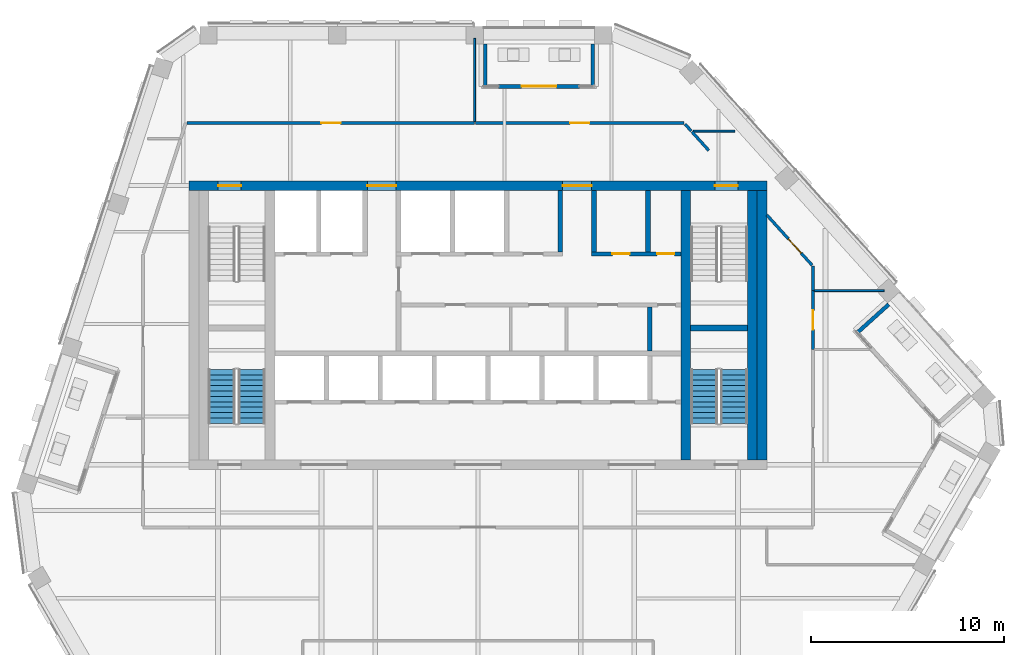
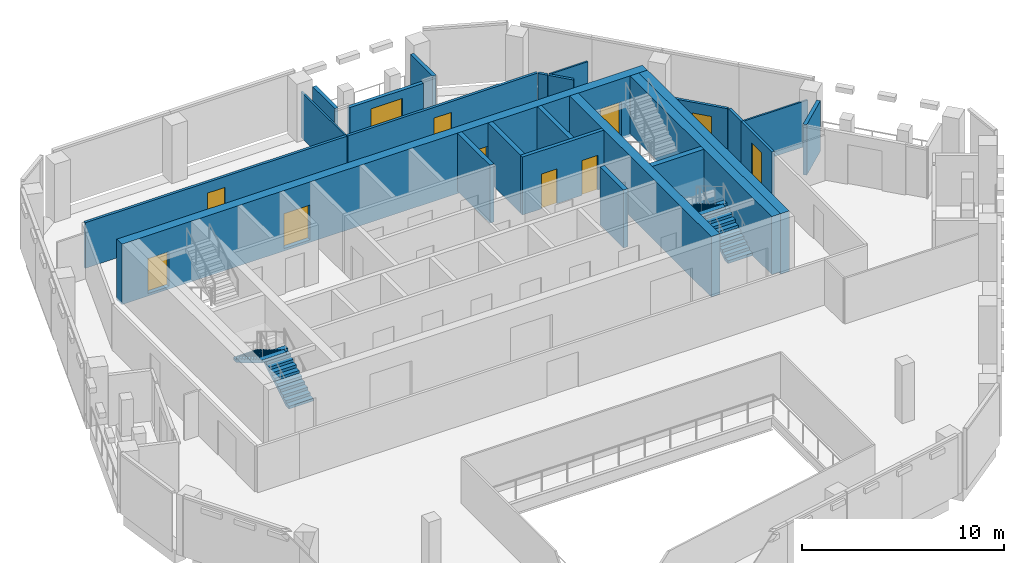
# One storey, part 15 of 22: 24 walls, 11 doors, 4 stair flights, 11 openings, 2 elements without a shape of their own.
"""IFC4 building model written with IfcOpenShell, lengths in metres."""

from ifc_helpers import new_model, si_unit, direction, frame, frame_2d, origin, place, context, subcontext, project, spatial, polyline, rectangle, outline, extrude, material, layer, layer_set, type_object, element, fill, aggregate, save


model = new_model("IFC4")

# Units and contexts
model_context = context("Model", 3, precision=1e-05, world=origin(), true_north=direction((0.0, 1.0)))
body_context = subcontext(model_context, "Body", "Model", "MODEL_VIEW")
ifc_project = project(units=[si_unit("LENGTHUNIT", "METRE"), si_unit("AREAUNIT", "SQUARE_METRE"), si_unit("VOLUMEUNIT", "CUBIC_METRE"), si_unit("PLANEANGLEUNIT", "RADIAN"), si_unit("MASSUNIT", "GRAM", prefix="KILO")], contexts=[model_context])

# Site, building, storey
site_placement = place(None, origin())
site = spatial("IfcSite", under=ifc_project, at=site_placement, CompositionType="ELEMENT")
building_placement = place(site_placement, origin())
building = spatial("IfcBuilding", under=site, at=building_placement, Name="Isthmus Gate Tower", CompositionType="ELEMENT")
storey_placement = place(building_placement, frame((0.0, 0.0, 264.60009765625)))
storey = spatial("IfcBuildingStorey", under=building, at=storey_placement, Name="L67", CompositionType="ELEMENT", Elevation=264.60009765625)

# Wall
ifc_material_1 = material(Name="Gypsum board on steel studs, fire-rated", Category="steel")
ifc_layer_1 = layer(ifc_material_1, 0.14990234375)
ifc_layer_set_1 = layer_set([ifc_layer_1], Name="CORRIDOR WALL 150 60 MIN")
wall_type_1 = type_object("IfcWallType", Name="CORRIDOR WALL 150 60 MIN", PredefinedType="PARTITIONING", material=ifc_layer_set_1)
wall_1_placement = place(storey_placement, frame((17.39990234375, 10.56103515625, 0.0), z_axis=(0.0, 0.0, 1.0), x_axis=(0.0, -1.0, 0.0)))
element("IfcWall", 1, at=wall_1_placement, inside=storey, type_object=wall_type_1, Name="L67 Corridor Wall 150 60 Min", PredefinedType="PARTITIONING", context=body_context, shape_type="SweptSolid", body=[
    extrude(rectangle(XDim=1.27099609375, YDim=0.14990234375, at=frame_2d((0.635498046875, 0.0))), origin(), (0.0, 0.0, 1.0), 2.75048828125),
])

# Wall, opening, door
wall_2_placement = place(storey_placement, frame((17.39990234375, 9.2900390625, 0.0), z_axis=(0.0, 0.0, 1.0), x_axis=(0.0, -1.0, 0.0)))
wall_2 = element("IfcWall", 2, at=wall_2_placement, inside=storey, type_object=wall_type_1, Name="L67 Corridor Wall 150 60 Min", PredefinedType="PARTITIONING", context=body_context, shape_type="SweptSolid", body=[
    extrude(rectangle(XDim=3.052978515625, YDim=0.14990234375, at=frame_2d((1.5263671875, 0.0))), origin(), (0.0, 0.0, 1.0), 2.75048828125),
])
opening_1_placement = place(wall_2_placement, frame((1.026611328125, 0.0, 0.0)))
opening_1 = element("IfcOpeningElement", 3, at=opening_1_placement, cuts=wall_2, Name="Opening DT-T6A-05", PredefinedType="OPENING", context=body_context, shape_type="SweptSolid", body=[
    extrude(rectangle(XDim=1.0, YDim=2.10009765625, at=frame_2d((0.5, 1.050048828125))), frame((0.0, 0.0849609375, 0.0), z_axis=(0.0, -1.0, 0.0), x_axis=(1.0, 0.0, 0.0)), (0.0, 0.0, 1.0), 0.169921875),
])
ifc_material_2 = material(Name="Solid core timber door leaf, fire-rated", Category="wood")
door_type_1 = type_object("IfcDoorType", Name="FIRE DOOR ROOM 1000 X 2100 60 MIN", OperationType="SINGLE_SWING_LEFT", PredefinedType="DOOR", material=ifc_material_2)
door_1_placement = place(opening_1_placement, origin())
door_1 = element("IfcDoor", 4, at=door_1_placement, inside=storey, type_object=door_type_1, Name="L67 room door", OperationType="SINGLE_SWING_RIGHT", OverallHeight=2.10009765625, OverallWidth=1.0, PredefinedType="DOOR", context=body_context, shape_type="SweptSolid", body=[
    extrude(rectangle(XDim=1.0, YDim=2.10009765625, at=frame_2d((0.5, 1.050048828125))), frame((0.0, 0.02490234375, 0.0), z_axis=(0.0, -1.0, 0.0), x_axis=(1.0, 0.0, 0.0)), (0.0, 0.0, 1.0), 0.050048828125),
])
fill(opening_1, door_1)

wall_3_placement = place(storey_placement, frame((-15.10302734375, 18.0, 0.0), z_axis=(0.0, 0.0, 1.0), x_axis=(1.0, 0.0, 0.0)))
wall_3 = element("IfcWall", 5, at=wall_3_placement, inside=storey, type_object=wall_type_1, Name="L67 Corridor Wall 150 60 Min", PredefinedType="PARTITIONING", context=body_context, shape_type="SweptSolid", body=[
    extrude(rectangle(XDim=14.927978515625, YDim=0.14990234375, at=frame_2d((7.4638671875, 0.0))), origin(), (0.0, 0.0, 1.0), 2.75048828125),
])
opening_2_placement = place(wall_3_placement, frame((6.964111328125, 0.0, 0.0)))
opening_2 = element("IfcOpeningElement", 6, at=opening_2_placement, cuts=wall_3, Name="Opening DT-T6A-01", PredefinedType="OPENING", context=body_context, shape_type="SweptSolid", body=[
    extrude(rectangle(XDim=1.0, YDim=2.10009765625, at=frame_2d((0.5, 1.050048828125))), frame((0.0, 0.0849609375, 0.0), z_axis=(0.0, -1.0, 0.0), x_axis=(1.0, 0.0, 0.0)), (0.0, 0.0, 1.0), 0.169921875),
])
door_2_placement = place(opening_2_placement, origin())
door_2 = element("IfcDoor", 7, at=door_2_placement, inside=storey, type_object=door_type_1, Name="L67 room door", OperationType="SINGLE_SWING_RIGHT", OverallHeight=2.10009765625, OverallWidth=1.0, PredefinedType="DOOR", context=body_context, shape_type="SweptSolid", body=[
    extrude(rectangle(XDim=1.0, YDim=2.10009765625, at=frame_2d((0.5, 1.050048828125))), frame((0.0, 0.02490234375, 0.0), z_axis=(0.0, -1.0, 0.0), x_axis=(1.0, 0.0, 0.0)), (0.0, 0.0, 1.0), 0.050048828125),
])
fill(opening_2, door_2)

wall_4_placement = place(storey_placement, frame((-0.125, 18.0, 0.0), z_axis=(0.0, 0.0, 1.0), x_axis=(1.0, 0.0, 0.0)))
wall_4 = element("IfcWall", 8, at=wall_4_placement, inside=storey, type_object=wall_type_1, Name="L67 Corridor Wall 150 60 Min", PredefinedType="PARTITIONING", context=body_context, shape_type="SweptSolid", body=[
    extrude(rectangle(XDim=10.826904296875, YDim=0.14990234375, at=frame_2d((5.41357421875, 0.0))), origin(), (0.0, 0.0, 1.0), 2.75048828125),
])
opening_3_placement = place(wall_4_placement, frame((4.91357421875, 0.0, 0.0)))
opening_3 = element("IfcOpeningElement", 9, at=opening_3_placement, cuts=wall_4, Name="Opening DT-T6A-02", PredefinedType="OPENING", context=body_context, shape_type="SweptSolid", body=[
    extrude(rectangle(XDim=1.0, YDim=2.10009765625, at=frame_2d((0.5, 1.050048828125))), frame((0.0, 0.0849609375, 0.0), z_axis=(0.0, -1.0, 0.0), x_axis=(1.0, 0.0, 0.0)), (0.0, 0.0, 1.0), 0.169921875),
])
door_3_placement = place(opening_3_placement, origin())
door_3 = element("IfcDoor", 10, at=door_3_placement, inside=storey, type_object=door_type_1, Name="L67 room door", OperationType="SINGLE_SWING_RIGHT", OverallHeight=2.10009765625, OverallWidth=1.0, PredefinedType="DOOR", context=body_context, shape_type="SweptSolid", body=[
    extrude(rectangle(XDim=1.0, YDim=2.10009765625, at=frame_2d((0.5, 1.050048828125))), frame((0.0, 0.02490234375, 0.0), z_axis=(0.0, -1.0, 0.0), x_axis=(1.0, 0.0, 0.0)), (0.0, 0.0, 1.0), 0.050048828125),
])
fill(opening_3, door_3)

# Walls
wall_5_placement = place(storey_placement, frame((10.752197265625, 17.9443359375, 0.0), z_axis=(0.0, 0.0, 1.0), x_axis=(0.669019774343, -0.74324460411, 0.0)))
element("IfcWall", 11, at=wall_5_placement, inside=storey, type_object=wall_type_1, Name="L67 Corridor Wall 150 60 Min", PredefinedType="PARTITIONING", context=body_context, shape_type="SweptSolid", body=[
    extrude(rectangle(XDim=0.489990234375, YDim=0.14990234375, at=frame_2d((0.2451171875, 0.0))), origin(), (0.0, 0.0, 1.0), 2.75048828125),
])
wall_6_placement = place(storey_placement, frame((11.113525390625, 17.542724609375, 0.0), z_axis=(0.0, 0.0, 1.0), x_axis=(0.669172057426, -0.743107500675, 0.0)))
element("IfcWall", 12, at=wall_6_placement, inside=storey, type_object=wall_type_1, Name="L67 Corridor Wall 150 60 Min", PredefinedType="PARTITIONING", context=body_context, shape_type="SweptSolid", body=[
    extrude(rectangle(XDim=1.301025390625, YDim=0.14990234375, at=frame_2d((0.650390625, 0.0))), origin(), (0.0, 0.0, 1.0), 2.75048828125),
])

# Wall, opening, door
wall_7_placement = place(storey_placement, frame((15.0, 13.22607421875, 0.0), z_axis=(0.0, 0.0, 1.0), x_axis=(0.669187491984, -0.743093601488, 0.0)))
wall_7 = element("IfcWall", 13, at=wall_7_placement, inside=storey, type_object=wall_type_1, Name="L67 Corridor Wall 150 60 Min", PredefinedType="PARTITIONING", context=body_context, shape_type="SweptSolid", body=[
    extrude(rectangle(XDim=3.511474609375, YDim=0.14990234375, at=frame_2d((1.755859375, 0.0))), origin(), (0.0, 0.0, 1.0), 2.75048828125),
])
opening_4_placement = place(wall_7_placement, frame((1.677001953125, 0.0, 0.0)))
opening_4 = element("IfcOpeningElement", 14, at=opening_4_placement, cuts=wall_7, Name="Opening DT-T6A-03", PredefinedType="OPENING", context=body_context, shape_type="SweptSolid", body=[
    extrude(rectangle(XDim=1.0, YDim=2.10009765625, at=frame_2d((0.5, 1.050048828125))), frame((0.0, 0.0849609375, 0.0), z_axis=(0.0, -1.0, 0.0), x_axis=(1.0, 0.0, 0.0)), (0.0, 0.0, 1.0), 0.169921875),
])
door_4_placement = place(opening_4_placement, origin())
door_4 = element("IfcDoor", 15, at=door_4_placement, inside=storey, type_object=door_type_1, Name="L67 room door", OperationType="SINGLE_SWING_RIGHT", OverallHeight=2.10009765625, OverallWidth=1.0, PredefinedType="DOOR", context=body_context, shape_type="SweptSolid", body=[
    extrude(rectangle(XDim=1.0, YDim=2.10009765625, at=frame_2d((0.5, 1.050048828125))), frame((0.0, 0.02490234375, 0.0), z_axis=(0.0, -1.0, 0.0), x_axis=(1.0, 0.0, 0.0)), (0.0, 0.0, 1.0), 0.050048828125),
])
fill(opening_4, door_4)

ifc_material_3 = material(Name="Precast concrete C40/50", Category="concrete")
ifc_layer_2 = layer(ifc_material_3, 0.199951171875)
ifc_layer_set_2 = layer_set([ifc_layer_2], Name="LOGGIA WALL 200")
wall_type_2 = type_object("IfcWallType", Name="LOGGIA WALL 200", PredefinedType="SOLIDWALL", material=ifc_layer_set_2)
wall_8_placement = place(storey_placement, frame((5.26708984375, 19.89990234375, 0.0), z_axis=(0.0, 0.0, 1.0), x_axis=(-1.0, 0.0, 0.0)))
wall_8 = element("IfcWall", 16, at=wall_8_placement, inside=storey, type_object=wall_type_2, Name="LOGGIA BACK WALL", PredefinedType="SOLIDWALL", context=body_context, shape_type="SweptSolid", body=[
    extrude(rectangle(XDim=4.199951171875, YDim=0.199951171875, at=frame_2d((2.10009765625, 0.0))), origin(), (0.0, 0.0, 1.0), 2.89990234375),
])
opening_5_placement = place(wall_8_placement, frame((1.199951171875, 0.0, 0.0)))
opening_5 = element("IfcOpeningElement", 17, at=opening_5_placement, cuts=wall_8, Name="Opening DE67-01", PredefinedType="OPENING", context=body_context, shape_type="SweptSolid", body=[
    extrude(rectangle(XDim=1.800048828125, YDim=2.39990234375, at=frame_2d((0.89990234375, 1.199951171875))), frame((0.0, 0.10986328125, 0.0), z_axis=(0.0, -1.0, 0.0), x_axis=(1.0, 0.0, 0.0)), (0.0, 0.0, 1.0), 0.219970703125),
])
ifc_material_4 = material(Name="Aluminium, pale champagne anodised, laminated glass", Category="aluminium")
door_type_2 = type_object("IfcDoorType", Name="LOGGIA DOOR SLIDING 1800 X 2400", OperationType="DOUBLE_DOOR_SLIDING", PredefinedType="DOOR", material=ifc_material_4)
door_5_placement = place(opening_5_placement, origin())
door_5 = element("IfcDoor", 18, at=door_5_placement, inside=storey, type_object=door_type_2, Name="DOOR DE67-01", OperationType="SINGLE_SWING_LEFT", OverallHeight=2.39990234375, OverallWidth=1.800048828125, PredefinedType="DOOR", context=body_context, shape_type="SweptSolid", body=[
    extrude(rectangle(XDim=1.800048828125, YDim=2.39990234375, at=frame_2d((0.89990234375, 1.199951171875))), frame((0.0, 0.02490234375, 0.0), z_axis=(0.0, -1.0, 0.0), x_axis=(1.0, 0.0, 0.0)), (0.0, 0.0, 1.0), 0.050048828125),
])
fill(opening_5, door_5)

# Walls
for number, where, z_axis, x_axis, name in (
    (19, (5.95947265625, 22.10009765625, 0.0), (0.0, 0.0, 1.0), (0.0, -1.0, 0.0), "LOGGIA SIDE WALL"),
    (20, (0.375, 22.10009765625, 0.0), (0.0, 0.0, 1.0), (0.0, -1.0, 0.0), "LOGGIA SIDE WALL"),
    (21, (21.33642578125, 8.580322265625, 0.0), (0.0, 0.0, 1.0), (-0.743138493482, -0.669137638686, 0.0), "LOGGIA SIDE WALL"),
):
    element("IfcWall", number, at=place(storey_placement, frame(where, z_axis=z_axis, x_axis=x_axis)), inside=storey, type_object=wall_type_2, Name=name, PredefinedType="SOLIDWALL", context=body_context, shape_type="SweptSolid", body=[
        extrude(rectangle(XDim=2.18408203125, YDim=0.199951171875, at=frame_2d((1.092041015625, 0.0))), origin(), (0.0, 0.0, 1.0), 3.0498046875),
    ])
ifc_material_5 = material(Name="Concrete f'c 50 MPa", Category="concrete")
ifc_layer_3 = layer(ifc_material_5, 0.5)
ifc_layer_set_3 = layer_set([ifc_layer_3], Name="RC CORE SPINE WALL 500 F'C 50")
wall_type_3 = type_object("IfcWallType", Name="RC CORE SPINE WALL 500 F'C 50", PredefinedType="SOLIDWALL", material=ifc_layer_set_3)
wall_9_placement = place(storey_placement, frame((10.800048828125, 0.5, -0.150146484375), z_axis=(0.0, 0.0, 1.0), x_axis=(0.0, 1.0, 0.0)))
element("IfcWall", 22, at=wall_9_placement, inside=storey, type_object=wall_type_3, Name="str-corewall-L67-SPE", PredefinedType="SOLIDWALL", context=body_context, shape_type="SweptSolid", body=[
    extrude(rectangle(XDim=14.0, YDim=0.5, at=frame_2d((7.0, 0.0))), origin(), (0.0, 0.0, 1.0), 3.650146484375),
])

# Wall, openings, doors
ifc_material_6 = material(Name="Concrete f'c 50 MPa", Category="concrete")
ifc_layer_4 = layer(ifc_material_6, 0.5)
ifc_layer_set_4 = layer_set([ifc_layer_4], Name="RC CORE WALL 500 F'C 50")
wall_type_4 = type_object("IfcWallType", Name="RC CORE WALL 500 F'C 50", PredefinedType="SOLIDWALL", material=ifc_layer_set_4)
wall_10_placement = place(storey_placement, frame((-15.0, 14.75, -0.150146484375), z_axis=(0.0, 0.0, 1.0), x_axis=(1.0, 0.0, 0.0)))
wall_10 = element("IfcWall", 23, at=wall_10_placement, inside=storey, type_object=wall_type_4, Name="str-corewall-L67-N", PredefinedType="SOLIDWALL", context=body_context, shape_type="SweptSolid", body=[
    extrude(rectangle(XDim=30.0, YDim=0.5, at=frame_2d((15.0, 0.0))), origin(), (0.0, 0.0, 1.0), 3.650146484375),
])
opening_6_placement = place(wall_10_placement, frame((9.25, 0.0, 0.14990234375)))
opening_6 = element("IfcOpeningElement", 24, at=opening_6_placement, cuts=wall_10, Name="Opening DC-A17-13", PredefinedType="OPENING", context=body_context, shape_type="SweptSolid", body=[
    extrude(rectangle(XDim=1.5, YDim=2.10009765625, at=frame_2d((0.75, 1.050048828125))), frame((0.0, 0.260009765625, 0.0), z_axis=(0.0, -1.0, 0.0), x_axis=(1.0, 0.0, 0.0)), (0.0, 0.0, 1.0), 0.52001953125),
])
opening_7_placement = place(wall_10_placement, frame((19.39990234375, 0.0, 0.14990234375)))
opening_7 = element("IfcOpeningElement", 25, at=opening_7_placement, cuts=wall_10, Name="Opening DC-A17-14", PredefinedType="OPENING", context=body_context, shape_type="SweptSolid", body=[
    extrude(rectangle(XDim=1.5, YDim=2.10009765625, at=frame_2d((0.75, 1.050048828125))), frame((0.0, 0.260009765625, 0.0), z_axis=(0.0, -1.0, 0.0), x_axis=(1.0, 0.0, 0.0)), (0.0, 0.0, 1.0), 0.52001953125),
])
opening_8_placement = place(wall_10_placement, frame((1.5, 0.0, 0.14990234375)))
opening_8 = element("IfcOpeningElement", 26, at=opening_8_placement, cuts=wall_10, Name="Opening DC-A17-15", PredefinedType="OPENING", context=body_context, shape_type="SweptSolid", body=[
    extrude(rectangle(XDim=1.199951171875, YDim=2.10009765625, at=frame_2d((0.60009765625, 1.050048828125))), frame((0.0, 0.260009765625, 0.0), z_axis=(0.0, -1.0, 0.0), x_axis=(1.0, 0.0, 0.0)), (0.0, 0.0, 1.0), 0.52001953125),
])
opening_9_placement = place(wall_10_placement, frame((27.300048828125, 0.0, 0.14990234375)))
opening_9 = element("IfcOpeningElement", 27, at=opening_9_placement, cuts=wall_10, Name="Opening DC-A17-16", PredefinedType="OPENING", context=body_context, shape_type="SweptSolid", body=[
    extrude(rectangle(XDim=1.199951171875, YDim=2.10009765625, at=frame_2d((0.60009765625, 1.050048828125))), frame((0.0, 0.260009765625, 0.0), z_axis=(0.0, -1.0, 0.0), x_axis=(1.0, 0.0, 0.0)), (0.0, 0.0, 1.0), 0.52001953125),
])
ifc_material_7 = material(Name="Steel door leaf, fire-rated", Category="steel")
door_type_3 = type_object("IfcDoorType", Name="LOBBY FIRE DOOR 1500 X 2100 60 MIN", OperationType="DOUBLE_DOOR_SINGLE_SWING", PredefinedType="DOOR", material=ifc_material_7)
door_6_placement = place(opening_7_placement, origin())
door_6 = element("IfcDoor", 28, at=door_6_placement, inside=storey, type_object=door_type_3, Name="Lobby Door PN-E", OperationType="DOUBLE_DOOR_SINGLE_SWING", OverallHeight=2.10009765625, OverallWidth=1.5, PredefinedType="DOOR", context=body_context, shape_type="SweptSolid", body=[
    extrude(rectangle(XDim=1.5, YDim=2.10009765625, at=frame_2d((0.75, 1.050048828125))), frame((0.0, 0.02490234375, 0.0), z_axis=(0.0, -1.0, 0.0), x_axis=(1.0, 0.0, 0.0)), (0.0, 0.0, 1.0), 0.050048828125),
])
fill(opening_7, door_6)
ifc_material_8 = material(Name="Steel door leaf, fire-rated", Category="steel")
door_type_4 = type_object("IfcDoorType", Name="LOBBY FIRE DOOR 1500 X 2100 90 MIN", OperationType="DOUBLE_DOOR_SINGLE_SWING", PredefinedType="DOOR", material=ifc_material_8)
door_7_placement = place(opening_6_placement, origin())
door_7 = element("IfcDoor", 29, at=door_7_placement, inside=storey, type_object=door_type_4, Name="Lobby Door PN-W", OperationType="DOUBLE_DOOR_SINGLE_SWING", OverallHeight=2.10009765625, OverallWidth=1.5, PredefinedType="DOOR", context=body_context, shape_type="SweptSolid", body=[
    extrude(rectangle(XDim=1.5, YDim=2.10009765625, at=frame_2d((0.75, 1.050048828125))), frame((0.0, 0.02490234375, 0.0), z_axis=(0.0, -1.0, 0.0), x_axis=(1.0, 0.0, 0.0)), (0.0, 0.0, 1.0), 0.050048828125),
])
fill(opening_6, door_7)
ifc_material_9 = material(Name="Steel door leaf, fire-rated", Category="steel")
door_type_5 = type_object("IfcDoorType", Name="STAIR FIRE DOOR 1200 X 2100 90 MIN", OperationType="SINGLE_SWING_LEFT", PredefinedType="DOOR", material=ifc_material_9)
door_8_placement = place(opening_8_placement, origin())
door_8 = element("IfcDoor", 30, at=door_8_placement, inside=storey, type_object=door_type_5, Name="Exit Stair 1 Door", OperationType="SINGLE_SWING_RIGHT", OverallHeight=2.10009765625, OverallWidth=1.199951171875, PredefinedType="DOOR", context=body_context, shape_type="SweptSolid", body=[
    extrude(rectangle(XDim=1.199951171875, YDim=2.10009765625, at=frame_2d((0.60009765625, 1.050048828125))), frame((0.0, 0.02490234375, 0.0), z_axis=(0.0, -1.0, 0.0), x_axis=(1.0, 0.0, 0.0)), (0.0, 0.0, 1.0), 0.050048828125),
])
fill(opening_8, door_8)
door_9_placement = place(opening_9_placement, origin())
door_9 = element("IfcDoor", 31, at=door_9_placement, inside=storey, type_object=door_type_5, Name="Exit Stair 2 Door", OperationType="SINGLE_SWING_LEFT", OverallHeight=2.10009765625, OverallWidth=1.199951171875, PredefinedType="DOOR", context=body_context, shape_type="SweptSolid", body=[
    extrude(rectangle(XDim=1.199951171875, YDim=2.10009765625, at=frame_2d((0.60009765625, 1.050048828125))), frame((0.0, 0.02490234375, 0.0), z_axis=(0.0, -1.0, 0.0), x_axis=(1.0, 0.0, 0.0)), (0.0, 0.0, 1.0), 0.050048828125),
])
fill(opening_9, door_9)

# Walls
wall_11_placement = place(storey_placement, frame((14.75, 0.5, -0.150146484375), z_axis=(0.0, 0.0, 1.0), x_axis=(0.0, 1.0, 0.0)))
element("IfcWall", 32, at=wall_11_placement, inside=storey, type_object=wall_type_4, Name="str-corewall-L67-E", PredefinedType="SOLIDWALL", context=body_context, shape_type="SweptSolid", body=[
    extrude(rectangle(XDim=14.0, YDim=0.5, at=frame_2d((7.0, 0.0))), origin(), (0.0, 0.0, 1.0), 3.650146484375),
])
ifc_material_10 = material(Name="Gypsum board on steel studs, fire-rated", Category="steel")
ifc_layer_5 = layer(ifc_material_10, 0.10009765625)
ifc_layer_set_5 = layer_set([ifc_layer_5], Name="ROOM PARTITION 100 30 MIN")
wall_type_5 = type_object("IfcWallType", Name="ROOM PARTITION 100 30 MIN", PredefinedType="PARTITIONING", material=ifc_layer_set_5)
wall_12_placement = place(storey_placement, frame((-0.175048828125, 18.074951171875, 0.0), z_axis=(0.0, 0.0, 1.0), x_axis=(0.0, 1.0, 0.0)))
element("IfcWall", 33, at=wall_12_placement, inside=storey, type_object=wall_type_5, Name="L67 Room Partition 100 30 Min", PredefinedType="PARTITIONING", context=body_context, shape_type="SweptSolid", body=[
    extrude(rectangle(XDim=4.324951171875, YDim=0.10009765625, at=frame_2d((2.16259765625, 0.0))), origin(), (0.0, 0.0, 1.0), 2.75048828125),
])
wall_13_placement = place(storey_placement, frame((11.180908203125, 17.580078125, 0.0), z_axis=(0.0, 0.0, 1.0), x_axis=(1.0, 0.0, 0.0)))
element("IfcWall", 34, at=wall_13_placement, inside=storey, type_object=wall_type_5, Name="L67 Room Partition 100 30 Min", PredefinedType="PARTITIONING", context=body_context, shape_type="SweptSolid", body=[
    extrude(rectangle(XDim=2.156005859375, YDim=0.10009765625, at=frame_2d((1.078125, 0.0))), origin(), (0.0, 0.0, 1.0), 2.75048828125),
])
wall_14_placement = place(storey_placement, frame((17.47509765625, 9.2900390625, 0.0), z_axis=(0.0, 0.0, 1.0), x_axis=(1.0, 0.0, 0.0)))
element("IfcWall", 35, at=wall_14_placement, inside=storey, type_object=wall_type_5, Name="L67 Room Partition 100 30 Min", PredefinedType="PARTITIONING", context=body_context, shape_type="SweptSolid", body=[
    extrude(rectangle(XDim=3.6259765625, YDim=0.10009765625, at=frame_2d((1.81298828125, 0.0))), origin(), (0.0, 0.0, 1.0), 2.75048828125),
])

# Wall, openings, doors
ifc_material_11 = material(Name="Fire-rated blockwork masonry, 15 MPa", Category="masonry")
ifc_layer_6 = layer(ifc_material_11, 0.199951171875)
ifc_layer_set_6 = layer_set([ifc_layer_6], Name="SHAFT FRONT WALL 200 120 MIN")
wall_type_6 = type_object("IfcWallType", Name="SHAFT FRONT WALL 200 120 MIN", PredefinedType="PARTITIONING", material=ifc_layer_set_6)
wall_15_placement = place(storey_placement, frame((5.89990234375, 11.199951171875, 0.0), z_axis=(0.0, 0.0, 1.0), x_axis=(1.0, 0.0, 0.0)))
wall_15 = element("IfcWall", 36, at=wall_15_placement, inside=storey, type_object=wall_type_6, Name="L67 SHAFT FRONT WALL 200 120 MIN", PredefinedType="PARTITIONING", context=body_context, shape_type="SweptSolid", body=[
    extrude(rectangle(XDim=4.650146484375, YDim=0.199951171875, at=frame_2d((2.3251953125, 0.0))), origin(), (0.0, 0.0, 1.0), 3.5),
])
opening_10_placement = place(wall_15_placement, frame((1.074951171875, 0.0, 0.0)))
opening_10 = element("IfcOpeningElement", 37, at=opening_10_placement, cuts=wall_15, Name="Opening DC-A17-08", PredefinedType="OPENING", context=body_context, shape_type="SweptSolid", body=[
    extrude(rectangle(XDim=0.89990234375, YDim=2.10009765625, at=frame_2d((0.449951171875, 1.050048828125))), frame((0.0, 0.10986328125, 0.0), z_axis=(0.0, -1.0, 0.0), x_axis=(1.0, 0.0, 0.0)), (0.0, 0.0, 1.0), 0.219970703125),
])
opening_11_placement = place(wall_15_placement, frame((3.39990234375, 0.0, 0.0)))
opening_11 = element("IfcOpeningElement", 38, at=opening_11_placement, cuts=wall_15, Name="Opening DC-A17-09", PredefinedType="OPENING", context=body_context, shape_type="SweptSolid", body=[
    extrude(rectangle(XDim=0.89990234375, YDim=2.10009765625, at=frame_2d((0.449951171875, 1.050048828125))), frame((0.0, 0.10986328125, 0.0), z_axis=(0.0, -1.0, 0.0), x_axis=(1.0, 0.0, 0.0)), (0.0, 0.0, 1.0), 0.219970703125),
])
ifc_material_12 = material(Name="Steel door leaf, fire-rated", Category="steel")
door_type_6 = type_object("IfcDoorType", Name="FIRE DOOR 900 X 2100 60 MIN", OperationType="SINGLE_SWING_LEFT", PredefinedType="DOOR", material=ifc_material_12)
door_10_placement = place(opening_10_placement, origin())
door_10 = element("IfcDoor", 39, at=door_10_placement, inside=storey, type_object=door_type_6, Name="Cleaner Store Door", OperationType="SINGLE_SWING_RIGHT", OverallHeight=2.10009765625, OverallWidth=0.89990234375, PredefinedType="DOOR", context=body_context, shape_type="SweptSolid", body=[
    extrude(rectangle(XDim=0.89990234375, YDim=2.10009765625, at=frame_2d((0.449951171875, 1.050048828125))), frame((0.0, 0.02490234375, 0.0), z_axis=(0.0, -1.0, 0.0), x_axis=(1.0, 0.0, 0.0)), (0.0, 0.0, 1.0), 0.050048828125),
])
fill(opening_10, door_10)
ifc_material_13 = material(Name="Steel door leaf, fire-rated", Category="steel")
door_type_7 = type_object("IfcDoorType", Name="RISER FIRE DOOR 900 X 2100 90 MIN", OperationType="SINGLE_SWING_LEFT", PredefinedType="DOOR", material=ifc_material_13)
door_11_placement = place(opening_11_placement, origin())
door_11 = element("IfcDoor", 40, at=door_11_placement, inside=storey, type_object=door_type_7, Name="Riser Door", OperationType="SINGLE_SWING_LEFT", OverallHeight=2.10009765625, OverallWidth=0.89990234375, PredefinedType="DOOR", context=body_context, shape_type="SweptSolid", body=[
    extrude(rectangle(XDim=0.89990234375, YDim=2.10009765625, at=frame_2d((0.449951171875, 1.050048828125))), frame((0.0, 0.02490234375, 0.0), z_axis=(0.0, -1.0, 0.0), x_axis=(1.0, 0.0, 0.0)), (0.0, 0.0, 1.0), 0.050048828125),
])
fill(opening_11, door_11)

# Walls
ifc_material_14 = material(Name="Fire-rated blockwork masonry, 15 MPa", Category="masonry")
ifc_layer_7 = layer(ifc_material_14, 0.25)
ifc_layer_set_7 = layer_set([ifc_layer_7], Name="SHAFT WALL 250 120 MIN")
wall_type_7 = type_object("IfcWallType", Name="SHAFT WALL 250 120 MIN", PredefinedType="PARTITIONING", material=ifc_layer_set_7)
wall_16_placement = place(storey_placement, frame((8.925048828125, 6.14990234375, 0.0), z_axis=(0.0, 0.0, 1.0), x_axis=(0.0, 1.0, 0.0)))
element("IfcWall", 41, at=wall_16_placement, inside=storey, type_object=wall_type_7, Name="L67 SHAFT WALL 250 120 MIN", PredefinedType="PARTITIONING", context=body_context, shape_type="SweptSolid", body=[
    extrude(rectangle(XDim=2.300048828125, YDim=0.25, at=frame_2d((1.14990234375, 0.0))), origin(), (0.0, 0.0, 1.0), 3.5),
])
for number, where, z_axis, x_axis, name in (
    (42, (4.27490234375, 11.300048828125, 0.0), (0.0, 0.0, 1.0), (0.0, 1.0, 0.0), "L67 SHAFT WALL 250 120 MIN"),
    (43, (6.02490234375, 11.300048828125, 0.0), (0.0, 0.0, 1.0), (0.0, 1.0, 0.0), "L67 SHAFT WALL 250 120 MIN"),
    (44, (8.824951171875, 11.300048828125, 0.0), (0.0, 0.0, 1.0), (0.0, 1.0, 0.0), "L67 SHAFT WALL 250 120 MIN"),
):
    element("IfcWall", number, at=place(storey_placement, frame(where, z_axis=z_axis, x_axis=x_axis)), inside=storey, type_object=wall_type_7, Name=name, PredefinedType="PARTITIONING", context=body_context, shape_type="SweptSolid", body=[
        extrude(rectangle(XDim=3.199951171875, YDim=0.25, at=frame_2d((1.60009765625, 0.0))), origin(), (0.0, 0.0, 1.0), 3.5),
    ])
ifc_material_15 = material(Name="Concrete f'c 40 MPa", Category="concrete")
ifc_layer_8 = layer(ifc_material_15, 0.300048828125)
ifc_layer_set_8 = layer_set([ifc_layer_8], Name="STAIR ENCLOSURE WALL 300 180 MIN")
wall_type_8 = type_object("IfcWallType", Name="STAIR ENCLOSURE WALL 300 180 MIN", PredefinedType="SOLIDWALL", material=ifc_layer_set_8)
wall_17_placement = place(storey_placement, frame((11.050048828125, 7.35009765625, 0.0), z_axis=(0.0, 0.0, 1.0), x_axis=(1.0, 0.0, 0.0)))
element("IfcWall", 45, at=wall_17_placement, inside=storey, type_object=wall_type_8, Name="L67 STAIR ENCLOSURE WALL 300 180 MIN", PredefinedType="SOLIDWALL", context=body_context, shape_type="SweptSolid", body=[
    extrude(rectangle(XDim=2.949951171875, YDim=0.300048828125, at=frame_2d((1.47509765625, 0.0))), origin(), (0.0, 0.0, 1.0), 3.5),
])
ifc_material_16 = material(Name="Concrete f'c 40 MPa", Category="concrete")
ifc_layer_9 = layer(ifc_material_16, 0.5)
ifc_layer_set_9 = layer_set([ifc_layer_9], Name="STAIR ENCLOSURE WALL 500 180 MIN")
wall_type_9 = type_object("IfcWallType", Name="STAIR ENCLOSURE WALL 500 180 MIN", PredefinedType="SOLIDWALL", material=ifc_layer_set_9)
wall_18_placement = place(storey_placement, frame((14.25, 0.5, 0.0), z_axis=(0.0, 0.0, 1.0), x_axis=(0.0, 1.0, 0.0)))
element("IfcWall", 46, at=wall_18_placement, inside=storey, type_object=wall_type_9, Name="L67 STAIR ENCLOSURE WALL 500 180 MIN", PredefinedType="SOLIDWALL", context=body_context, shape_type="SweptSolid", body=[
    extrude(rectangle(XDim=14.0, YDim=0.5, at=frame_2d((7.0, 0.0))), origin(), (0.0, 0.0, 1.0), 3.5),
])

# Stair, stair flights
ifc_material_17 = material(Name="Concrete f'c 40 MPa", Category="concrete")
stair_type = type_object("IfcStairType", Name="CORE STAIR 22 RISERS", PredefinedType="HALF_TURN_STAIR", material=ifc_material_17)
stair_1_placement = place(storey_placement, origin())
stair_1 = element("IfcStair", 47, at=stair_1_placement, inside=storey, type_object=stair_type, Name="L67 Exit Stair 7", PredefinedType="HALF_TURN_STAIR")
ifc_material_18 = material(Name="Concrete f'c 40 MPa", Category="concrete")
stair_flight_type = type_object("IfcStairFlightType", Name="STAIR FLIGHT RC 1400", PredefinedType="STRAIGHT", material=ifc_material_18)
stair_flight_1_placement = place(storey_placement, frame((-11.75, 2.39990234375, 0.0), z_axis=(0.0, 0.0, 1.0), x_axis=(0.0, 1.0, 0.0)))
stair_flight_1 = element("IfcStairFlight", 48, at=stair_flight_1_placement, type_object=stair_flight_type, Name="ST7 flight 1", NumberOfRisers=11, NumberOfTreads=10, PredefinedType="STRAIGHT", RiserHeight=0.165909091, TreadLength=0.28, context=body_context, shape_type="SweptSolid", body=[
    extrude(outline(polyline([(0.0, 0.0), (0.0, 0.166015625), (0.280029296875, 0.166015625), (0.280029296875, 0.331787109375), (0.56005859375, 0.331787109375), (0.56005859375, 0.497802734375), (0.840087890625, 0.497802734375), (0.840087890625, 0.66357421875), (1.1201171875, 0.66357421875), (1.1201171875, 0.82958984375), (1.39990234375, 0.82958984375), (1.39990234375, 0.995361328125), (1.679931640625, 0.995361328125), (1.679931640625, 1.161376953125), (1.9599609375, 1.161376953125), (1.9599609375, 1.327392578125), (2.239990234375, 1.327392578125), (2.239990234375, 1.4931640625), (2.52001953125, 1.4931640625), (2.52001953125, 1.6591796875), (2.800048828125, 1.6591796875), (2.800048828125, 1.824951171875), (2.800048828125, 1.48486328125), (0.2939453125, 0.0), (0.0, 0.0)])), frame((0.0, 0.699951171875, 0.0), z_axis=(0.0, -1.0, 0.0), x_axis=(1.0, 0.0, 0.0)), (0.0, 0.0, 1.0), 1.39990234375),
])
stair_flight_2_placement = place(storey_placement, frame((-13.300048828125, 5.199951171875, 1.824951171875), z_axis=(0.0, 0.0, 1.0), x_axis=(0.0, -1.0, 0.0)))
stair_flight_2 = element("IfcStairFlight", 49, at=stair_flight_2_placement, type_object=stair_flight_type, Name="ST7 flight 2", NumberOfRisers=11, NumberOfTreads=10, PredefinedType="STRAIGHT", RiserHeight=0.165909091, TreadLength=0.28, context=body_context, shape_type="SweptSolid", body=[
    extrude(outline(polyline([(0.0, 0.0), (0.0, 0.166015625), (0.280029296875, 0.166015625), (0.280029296875, 0.331787109375), (0.56005859375, 0.331787109375), (0.56005859375, 0.497802734375), (0.840087890625, 0.497802734375), (0.840087890625, 0.66357421875), (1.1201171875, 0.66357421875), (1.1201171875, 0.82958984375), (1.39990234375, 0.82958984375), (1.39990234375, 0.995361328125), (1.679931640625, 0.995361328125), (1.679931640625, 1.161376953125), (1.9599609375, 1.161376953125), (1.9599609375, 1.327392578125), (2.239990234375, 1.327392578125), (2.239990234375, 1.4931640625), (2.52001953125, 1.4931640625), (2.52001953125, 1.6591796875), (2.800048828125, 1.6591796875), (2.800048828125, 1.824951171875), (2.800048828125, 1.48486328125), (0.2939453125, 0.0), (0.0, 0.0)])), frame((0.0, 0.699951171875, 0.0), z_axis=(0.0, -1.0, 0.0), x_axis=(1.0, 0.0, 0.0)), (0.0, 0.0, 1.0), 1.39990234375),
])
aggregate(stair_1, [stair_flight_1, stair_flight_2])

stair_2_placement = place(storey_placement, origin())
stair_2 = element("IfcStair", 50, at=stair_2_placement, inside=storey, type_object=stair_type, Name="L67 Exit Stair 8", PredefinedType="HALF_TURN_STAIR")
stair_flight_3_placement = place(storey_placement, frame((13.300048828125, 2.39990234375, 0.0), z_axis=(0.0, 0.0, 1.0), x_axis=(0.0, 1.0, 0.0)))
stair_flight_3 = element("IfcStairFlight", 51, at=stair_flight_3_placement, type_object=stair_flight_type, Name="ST8 flight 1", NumberOfRisers=11, NumberOfTreads=10, PredefinedType="STRAIGHT", RiserHeight=0.165909091, TreadLength=0.28, context=body_context, shape_type="SweptSolid", body=[
    extrude(outline(polyline([(0.0, 0.0), (0.0, 0.166015625), (0.280029296875, 0.166015625), (0.280029296875, 0.331787109375), (0.56005859375, 0.331787109375), (0.56005859375, 0.497802734375), (0.840087890625, 0.497802734375), (0.840087890625, 0.66357421875), (1.1201171875, 0.66357421875), (1.1201171875, 0.82958984375), (1.39990234375, 0.82958984375), (1.39990234375, 0.995361328125), (1.679931640625, 0.995361328125), (1.679931640625, 1.161376953125), (1.9599609375, 1.161376953125), (1.9599609375, 1.327392578125), (2.239990234375, 1.327392578125), (2.239990234375, 1.4931640625), (2.52001953125, 1.4931640625), (2.52001953125, 1.6591796875), (2.800048828125, 1.6591796875), (2.800048828125, 1.824951171875), (2.800048828125, 1.48486328125), (0.2939453125, 0.0), (0.0, 0.0)])), frame((0.0, 0.699951171875, 0.0), z_axis=(0.0, -1.0, 0.0), x_axis=(1.0, 0.0, 0.0)), (0.0, 0.0, 1.0), 1.39990234375),
])
stair_flight_4_placement = place(storey_placement, frame((11.75, 5.199951171875, 1.824951171875), z_axis=(0.0, 0.0, 1.0), x_axis=(0.0, -1.0, 0.0)))
stair_flight_4 = element("IfcStairFlight", 52, at=stair_flight_4_placement, type_object=stair_flight_type, Name="ST8 flight 2", NumberOfRisers=11, NumberOfTreads=10, PredefinedType="STRAIGHT", RiserHeight=0.165909091, TreadLength=0.28, context=body_context, shape_type="SweptSolid", body=[
    extrude(outline(polyline([(0.0, 0.0), (0.0, 0.166015625), (0.280029296875, 0.166015625), (0.280029296875, 0.331787109375), (0.56005859375, 0.331787109375), (0.56005859375, 0.497802734375), (0.840087890625, 0.497802734375), (0.840087890625, 0.66357421875), (1.1201171875, 0.66357421875), (1.1201171875, 0.82958984375), (1.39990234375, 0.82958984375), (1.39990234375, 0.995361328125), (1.679931640625, 0.995361328125), (1.679931640625, 1.161376953125), (1.9599609375, 1.161376953125), (1.9599609375, 1.327392578125), (2.239990234375, 1.327392578125), (2.239990234375, 1.4931640625), (2.52001953125, 1.4931640625), (2.52001953125, 1.6591796875), (2.800048828125, 1.6591796875), (2.800048828125, 1.824951171875), (2.800048828125, 1.48486328125), (0.2939453125, 0.0), (0.0, 0.0)])), frame((0.0, 0.699951171875, 0.0), z_axis=(0.0, -1.0, 0.0), x_axis=(1.0, 0.0, 0.0)), (0.0, 0.0, 1.0), 1.39990234375),
])
aggregate(stair_2, [stair_flight_3, stair_flight_4])

save(model, "model.ifc")
